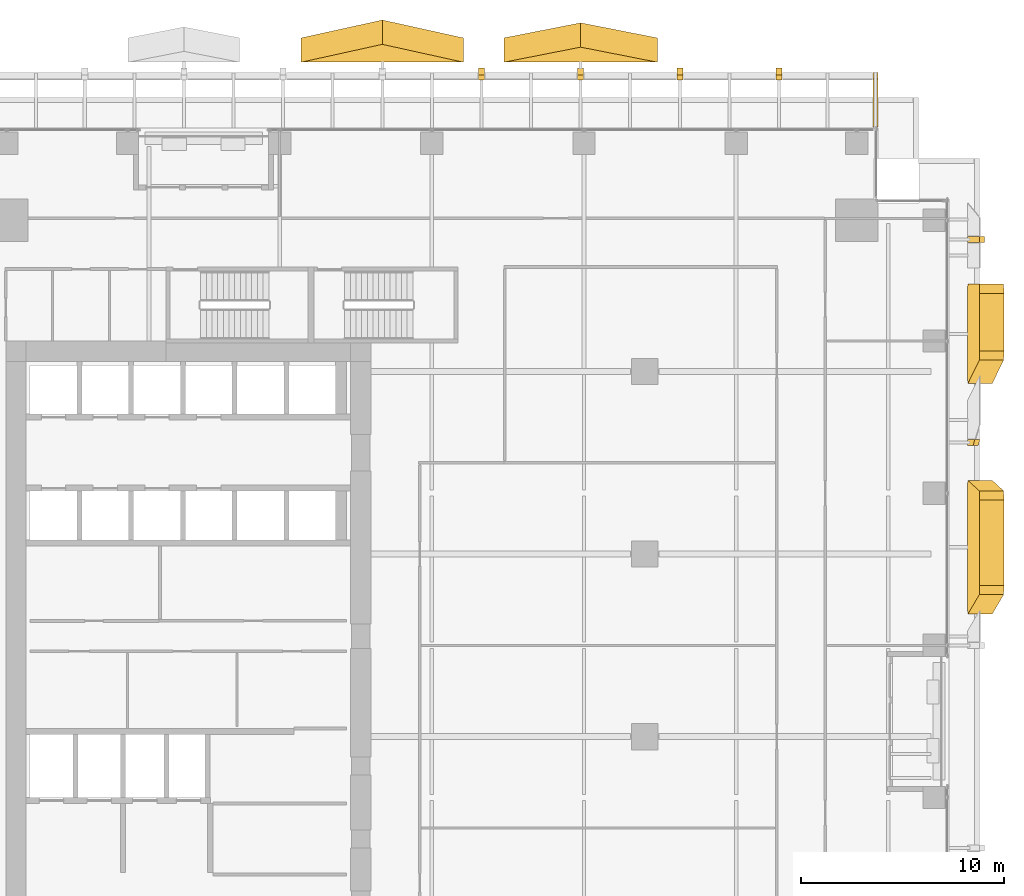
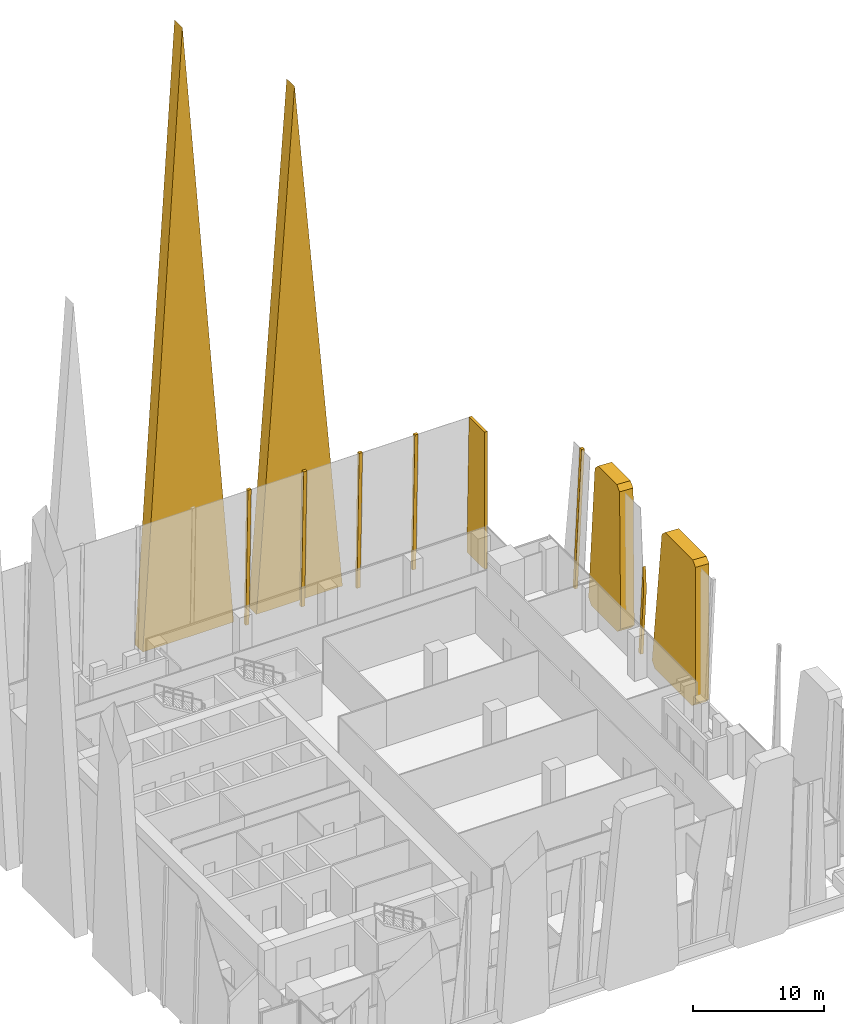
# One storey, part 36 of 37: 11 coverings.
"""IFC4 building model written with IfcOpenShell, lengths in metres."""

from ifc_helpers import new_model, si_unit, direction, frame, origin, place, context, subcontext, project, spatial, polyline, outline, extrude, material, layer, layer_set, type_object, element, save


model = new_model("IFC4")

# Units and contexts
model_context = context("Model", 3, precision=1e-05, world=origin(), true_north=direction((0.0, 1.0)))
body_context = subcontext(model_context, "Body", "Model", "MODEL_VIEW")
ifc_project = project(units=[si_unit("LENGTHUNIT", "METRE"), si_unit("AREAUNIT", "SQUARE_METRE"), si_unit("VOLUMEUNIT", "CUBIC_METRE"), si_unit("PLANEANGLEUNIT", "RADIAN"), si_unit("MASSUNIT", "GRAM", prefix="KILO")], contexts=[model_context])

# Site, building, storey
site_placement = place(None, origin())
site = spatial("IfcSite", under=ifc_project, at=site_placement, CompositionType="ELEMENT")
building_placement = place(site_placement, origin())
building = spatial("IfcBuilding", under=site, at=building_placement, Name="Khomas Fold Tower", CompositionType="ELEMENT")
storey_placement = place(building_placement, frame((0.0, 0.0, 101.5)))
storey = spatial("IfcBuildingStorey", under=building, at=storey_placement, Name="L21", CompositionType="ELEMENT", Elevation=101.5)

# Coverings
ifc_material_1 = material(Name="Natural stone cladding", Category="masonry")
ifc_layer_1 = layer(ifc_material_1, 0.25)
ifc_layer_set_1 = layer_set([ifc_layer_1], Name="Natural stone cladding")
covering_type_1 = type_object("IfcCoveringType", Name="SK-Karibib marble stone mullion", PredefinedType="CLADDING", material=ifc_layer_set_1)
covering_1_placement = place(storey_placement, frame((53.771728515625, 37.14990234375, 7.832763671875), z_axis=(-0.998875051828, -6.4416948e-05, 0.047419686686), x_axis=(-0.047419686784, -1.59e-10, -0.998875053901)))
element("IfcCovering", 1, at=covering_1_placement, inside=storey, type_object=covering_type_1, Name="OUTER SKIN mullion L21 EM105-8", PredefinedType="CLADDING", context=body_context, shape_type="SweptSolid", body=[
    extrude(outline(polyline([(0.0, 0.0), (7.841584115544701, 3.3881317890172014e-21), (7.841584115592265, 0.29980468687797374), (1.96754358018742, 0.29980468905393165), (0.0, 0.0)])), origin(), (0.0, 0.0, -1.0), 0.25),
])
covering_2_placement = place(storey_placement, frame((54.005126953125, 47.14990234375, 12.75), z_axis=(-0.998875266546, 0.0, 0.047415207295), x_axis=(-0.047415207295, 0.0, -0.998875266546)))
element("IfcCovering", 2, at=covering_2_placement, inside=storey, type_object=covering_type_1, Name="OUTER SKIN mullion L21 EM107-11", PredefinedType="CLADDING", context=body_context, shape_type="SweptSolid", body=[
    extrude(outline(polyline([(0.0, 0.0), (12.764356498773964, 0.0), (12.764356498773964, 0.2998046875), (0.0, 0.2998046875), (0.0, 0.0)])), origin(), (0.0, 0.0, -1.0), 0.25),
])
for number, where, z_axis, x_axis, name in (
    (3, (29.29443359375, 55.449951171875, 0.006591796875), (0.0, 0.9996570913, 0.026185870498), (1.0, 0.0, 0.0), "OUTER SKIN mullion L21 N10"),
    (4, (34.183349609375, 55.449951171875, 0.006591796875), (0.0, 0.9996570913, 0.026185870498), (1.0, 0.0, 0.0), "OUTER SKIN mullion L21 N12"),
    (5, (39.072265625, 55.449951171875, 0.006591796875), (0.0, 0.9996570913, 0.026185870498), (1.0, 0.0, 0.0), "OUTER SKIN mullion L21 N14"),
    (6, (43.961181640625, 55.449951171875, 0.006591796875), (0.0, 0.9996570913, 0.026185870498), (1.0, 0.0, 0.0), "OUTER SKIN mullion L21 N16"),
):
    element("IfcCovering", number, at=place(storey_placement, frame(where, z_axis=z_axis, x_axis=x_axis)), inside=storey, type_object=covering_type_1, Name=name, PredefinedType="CLADDING", context=body_context, shape_type="SweptSolid", body=[
        extrude(outline(polyline([(0.0, 0.0), (0.300048828125, 0.0), (0.300048828125, -12.754373585666375), (0.0, -12.754373585666375), (0.0, 0.0)])), origin(), (0.0, 0.0, -1.0), 0.25),
    ])
covering_3_placement = place(storey_placement, frame((49.0, 52.550048828125, 0.0), z_axis=(1.0, 0.0, 0.0), x_axis=(0.0, 1.0, 0.0)))
element("IfcCovering", 7, at=covering_3_placement, inside=storey, type_object=covering_type_1, Name="OUTER SKIN return L21 N2", PredefinedType="CLADDING", context=body_context, shape_type="SweptSolid", body=[
    extrude(outline(polyline([(0.0, 0.0), (2.68994140625, 0.0), (2.356201171875, 12.75), (0.0, 12.75), (0.0, 0.0)])), origin(), (0.0, 0.0, -1.0), 0.25),
])
ifc_material_2 = material(Name="Natural stone cladding", Category="masonry")
ifc_layer_2 = layer(ifc_material_2, 1.199951171875)
ifc_layer_set_2 = layer_set([ifc_layer_2], Name="Natural stone cladding")
covering_type_2 = type_object("IfcCoveringType", Name="SK-Karibib marble stone panel", PredefinedType="CLADDING", material=ifc_layer_set_2)
covering_4_placement = place(storey_placement, frame((53.423095703125, 28.537353515625, 0.486328125), z_axis=(-0.9988751436, 1.015698e-05, 0.047417796182), x_axis=(0.047264907573, 0.080451817412, 0.99563725)))
element("IfcCovering", 8, at=covering_4_placement, inside=storey, type_object=covering_type_2, Name="OUTER SKIN leaf L21 ES09-2", PredefinedType="CLADDING", context=body_context, shape_type="SweptSolid", body=[
    extrude(outline(polyline([(0.0, 0.0), (11.901776264204042, -2.220446049250313e-16), (12.350793920439529, 0.41370305939098273), (12.690494648499094, 4.622428214935491), (12.297174528526844, 5.105343938215054), (0.5136527021142097, 6.573489540067647), (0.008996794130556207, 6.163297494689274), (-0.4492210887778905, 0.4862030076295553), (0.0, 0.0)])), origin(), (0.0, 0.0, -1.0), 1.199951171875),
])
covering_5_placement = place(storey_placement, frame((53.42333984375, 39.90283203125, 0.49365234375), z_axis=(-0.998875260347, 2.5930005e-05, 0.047415330785), x_axis=(0.047195528161, 0.096721565613, 0.994191893382)))
element("IfcCovering", 9, at=covering_5_placement, inside=storey, type_object=covering_type_2, Name="OUTER SKIN leaf L21 ES12-3", PredefinedType="CLADDING", context=body_context, shape_type="SweptSolid", body=[
    extrude(outline(polyline([(0.0, 0.0), (11.919079506543355, -2.220446049250313e-16), (12.367430409995732, 0.4062936210132875), (12.642765726170378, 3.239626587934672), (12.237945456388132, 3.7310365995497836), (0.43012694616624564, 4.878487139766088), (-0.06174480954834005, 4.474215132998453), (-0.4485838446746725, 0.49345521326379505), (0.0, 0.0)])), origin(), (0.0, 0.0, -1.0), 1.199951171875),
])
covering_6_placement = place(storey_placement, frame((20.5556640625, 55.743408203125, 0.25), z_axis=(0.0, -0.999876343028, 0.015725732219), x_axis=(1.0, 0.0, 0.0)))
element("IfcCovering", 10, at=covering_6_placement, inside=storey, type_object=covering_type_2, Name="OUTER SKIN blade L21 NZ2-2", PredefinedType="CLADDING", context=body_context, shape_type="SweptSolid", body=[
    extrude(outline(polyline([(0.0, 0.0), (8.0, 0.0), (4.0, 56.10703568241491), (0.0, 0.0)])), origin(), (0.0, 0.0, -1.0), 1.199951171875),
])
covering_7_placement = place(storey_placement, frame((30.54931640625, 55.743408203125, 0.25), z_axis=(0.0, -0.999876350808, 0.015725237513), x_axis=(1.0, 0.0, 0.0)))
element("IfcCovering", 11, at=covering_7_placement, inside=storey, type_object=covering_type_2, Name="OUTER SKIN blade L21 NZ2-3", PredefinedType="CLADDING", context=body_context, shape_type="SweptSolid", body=[
    extrude(outline(polyline([(0.0, 0.0), (7.568115234375, 0.0), (3.783935546875, 47.30589816420859), (0.0, 0.0)])), origin(), (0.0, 0.0, -1.0), 1.199951171875),
])

save(model, "model.ifc")
